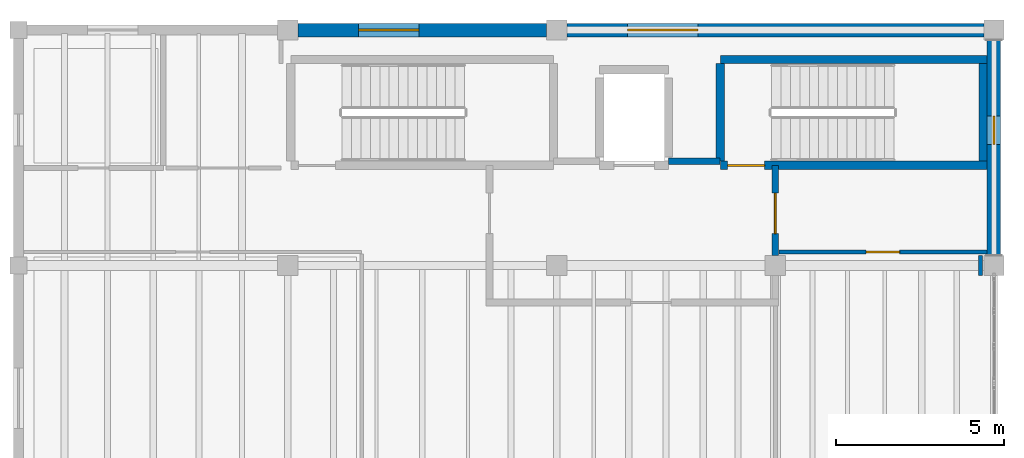
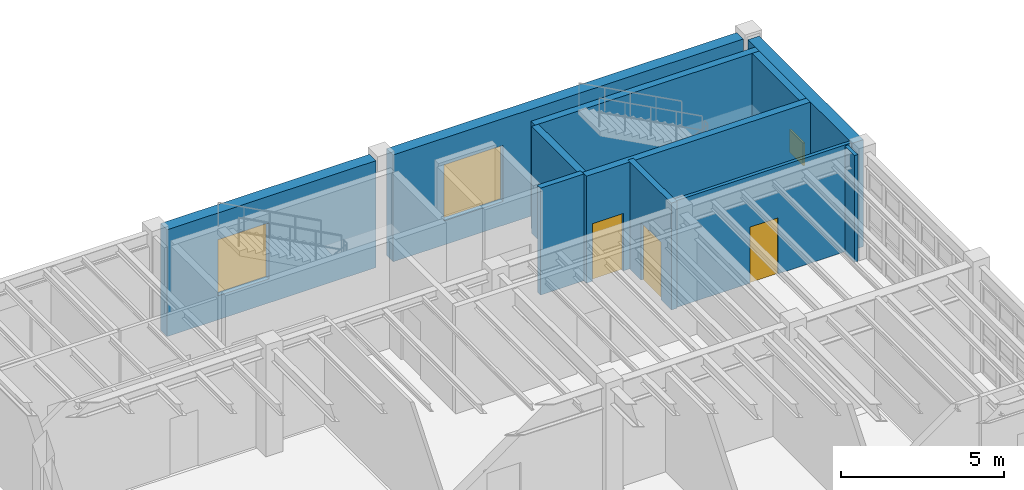
# One storey, part 69 of 78: 11 walls, 3 doors, 3 windows, 6 openings.
"""IFC4 building model written with IfcOpenShell, lengths in metres."""

from ifc_helpers import new_model, si_unit, direction, frame, frame_2d, origin, place, context, subcontext, project, spatial, rectangle, extrude, material, layer, layer_set, type_object, element, fill, save


model = new_model("IFC4")

# Units and contexts
model_context = context("Model", 3, precision=1e-05, world=origin(), true_north=direction((0.0, 1.0)))
body_context = subcontext(model_context, "Body", "Model", "MODEL_VIEW")
ifc_project = project(units=[si_unit("LENGTHUNIT", "METRE"), si_unit("AREAUNIT", "SQUARE_METRE"), si_unit("VOLUMEUNIT", "CUBIC_METRE"), si_unit("PLANEANGLEUNIT", "RADIAN"), si_unit("MASSUNIT", "GRAM", prefix="KILO"), si_unit("THERMODYNAMICTEMPERATUREUNIT", "KELVIN"), si_unit("POWERUNIT", "WATT")], contexts=[model_context])

# Site, building, storey
site_placement = place(None, origin())
site = spatial("IfcSite", under=ifc_project, at=site_placement, CompositionType="ELEMENT")
building_placement = place(site_placement, origin())
building = spatial("IfcBuilding", under=site, at=building_placement, Name="Zhenchuan Central Fire Station", CompositionType="ELEMENT")
storey_placement = place(building_placement, frame((0.0, 0.0, 5.85009765625)))
storey = spatial("IfcBuildingStorey", under=building, at=storey_placement, Name="L02", CompositionType="ELEMENT", Elevation=5.85009765625)

# Wall, opening, window
ifc_material_1 = material(Name="Concrete C40/50", Category="concrete")
ifc_layer_1 = layer(ifc_material_1, 0.39990234375, Name="Concrete C40/50", Category="concrete")
ifc_layer_set_1 = layer_set([ifc_layer_1], Name="Concrete C40/50")
wall_type_1 = type_object("IfcWallType", Name="EW-RC400", PredefinedType="SHEAR", material=ifc_layer_set_1)
wall_1_placement = place(storey_placement, frame((140.300048828125, 56.5, 0.0), z_axis=(0.0, 0.0, 1.0), x_axis=(1.0, 0.0, 0.0)))
wall_1 = element("IfcWall", 1, at=wall_1_placement, inside=storey, type_object=wall_type_1, Name="EW-L02-V6N-1", PredefinedType="SHEAR", context=body_context, shape_type="SweptSolid", body=[
    extrude(rectangle(XDim=7.39990234375, YDim=0.39990234375, at=frame_2d((3.699951171875, 0.0))), origin(), (0.0, 0.0, 1.0), 4.0),
])
opening_1_placement = place(wall_1_placement, frame((1.800048828125, 0.0, 0.89990234375)))
opening_1 = element("IfcOpeningElement", 2, at=opening_1_placement, cuts=wall_1, Name="Opening W-35", PredefinedType="OPENING", context=body_context, shape_type="SweptSolid", body=[
    extrude(rectangle(XDim=1.800048828125, YDim=2.10009765625, at=frame_2d((0.89990234375, 1.050048828125))), frame((0.0, 0.2099609375, 0.0), z_axis=(0.0, -1.0, 0.0), x_axis=(1.0, 0.0, 0.0)), (0.0, 0.0, 1.0), 0.419921875),
])
ifc_material_2 = material(Name="Laminated low-E double glazing in aluminium frame", Category="aluminium")
window_type_1 = type_object("IfcWindowType", Name="WN-35", PartitioningType="SINGLE_PANEL", PredefinedType="WINDOW", material=ifc_material_2)
window_1_placement = place(opening_1_placement, origin())
window_1 = element("IfcWindow", 3, at=window_1_placement, inside=storey, type_object=window_type_1, Name="Exterior Window 0107", OverallHeight=2.10009765625, OverallWidth=1.800048828125, PartitioningType="SINGLE_PANEL", PredefinedType="WINDOW", context=body_context, shape_type="SweptSolid", body=[
    extrude(rectangle(XDim=1.800048828125, YDim=2.10009765625, at=frame_2d((0.89990234375, 1.050048828125))), frame((0.0, 0.030029296875, 0.0), z_axis=(0.0, -1.0, 0.0), x_axis=(1.0, 0.0, 0.0)), (0.0, 0.0, 1.0), 0.06005859375),
])
fill(opening_1, window_1)

wall_2_placement = place(storey_placement, frame((148.300048828125, 56.5, 0.0), z_axis=(0.0, 0.0, 1.0), x_axis=(1.0, 0.0, 0.0)))
wall_2 = element("IfcWall", 4, at=wall_2_placement, inside=storey, type_object=wall_type_1, Name="EW-L02-V6N-2", PredefinedType="SHEAR", context=body_context, shape_type="SweptSolid", body=[
    extrude(rectangle(XDim=12.39990234375, YDim=0.39990234375, at=frame_2d((6.199951171875, 0.0))), origin(), (0.0, 0.0, 1.0), 4.0),
])
opening_2_placement = place(wall_2_placement, frame((1.800048828125, 0.0, 0.89990234375)))
opening_2 = element("IfcOpeningElement", 5, at=opening_2_placement, cuts=wall_2, Name="Opening W-36", PredefinedType="OPENING", context=body_context, shape_type="SweptSolid", body=[
    extrude(rectangle(XDim=2.10009765625, YDim=2.10009765625, at=frame_2d((1.050048828125, 1.050048828125))), frame((0.0, 0.2099609375, 0.0), z_axis=(0.0, -1.0, 0.0), x_axis=(1.0, 0.0, 0.0)), (0.0, 0.0, 1.0), 0.419921875),
])
window_type_2 = type_object("IfcWindowType", Name="WN-36", PartitioningType="SINGLE_PANEL", PredefinedType="WINDOW", material=ifc_material_2)
window_2_placement = place(opening_2_placement, origin())
window_2 = element("IfcWindow", 6, at=window_2_placement, inside=storey, type_object=window_type_2, Name="Exterior Window 0108", OverallHeight=2.10009765625, OverallWidth=2.10009765625, PartitioningType="SINGLE_PANEL", PredefinedType="WINDOW", context=body_context, shape_type="SweptSolid", body=[
    extrude(rectangle(XDim=2.10009765625, YDim=2.10009765625, at=frame_2d((1.050048828125, 1.050048828125))), frame((0.0, 0.030029296875, 0.0), z_axis=(0.0, -1.0, 0.0), x_axis=(1.0, 0.0, 0.0)), (0.0, 0.0, 1.0), 0.06005859375),
])
fill(opening_2, window_2)

wall_3_placement = place(storey_placement, frame((161.0, 49.800048828125, 0.0), z_axis=(0.0, 0.0, 1.0), x_axis=(0.0, 1.0, 0.0)))
wall_3 = element("IfcWall", 7, at=wall_3_placement, inside=storey, type_object=wall_type_1, Name="EW-L02-V6E-1", PredefinedType="SHEAR", context=body_context, shape_type="SweptSolid", body=[
    extrude(rectangle(XDim=6.39990234375, YDim=0.39990234375, at=frame_2d((3.199951171875, 0.0))), origin(), (0.0, 0.0, 1.0), 4.0),
])
opening_3_placement = place(wall_3_placement, frame((3.300048828125, 0.0, 1.10009765625)))
opening_3 = element("IfcOpeningElement", 8, at=opening_3_placement, cuts=wall_3, Name="Opening W-03", PredefinedType="OPENING", context=body_context, shape_type="SweptSolid", body=[
    extrude(rectangle(XDim=0.85009765625, YDim=0.85009765625, at=frame_2d((0.425048828125, 0.425048828125))), frame((0.0, 0.2099609375, 0.0), z_axis=(0.0, -1.0, 0.0), x_axis=(1.0, 0.0, 0.0)), (0.0, 0.0, 1.0), 0.419921875),
])
window_type_3 = type_object("IfcWindowType", Name="WN-03", PartitioningType="SINGLE_PANEL", PredefinedType="WINDOW", material=ifc_material_2)
window_3_placement = place(opening_3_placement, origin())
window_3 = element("IfcWindow", 9, at=window_3_placement, inside=storey, type_object=window_type_3, Name="Exterior Window 0109", OverallHeight=0.85009765625, OverallWidth=0.85009765625, PartitioningType="SINGLE_PANEL", PredefinedType="WINDOW", context=body_context, shape_type="SweptSolid", body=[
    extrude(rectangle(XDim=0.85009765625, YDim=0.85009765625, at=frame_2d((0.425048828125, 0.425048828125))), frame((0.0, 0.030029296875, 0.0), z_axis=(0.0, -1.0, 0.0), x_axis=(1.0, 0.0, 0.0)), (0.0, 0.0, 1.0), 0.06005859375),
])
fill(opening_3, window_3)

# Wall
ifc_material_3 = material(Name="Autoclaved aerated concrete blockwork", Category="masonry")
ifc_layer_2 = layer(ifc_material_3, 0.199951171875, Name="Autoclaved aerated concrete blockwork", Category="masonry")
ifc_layer_set_2 = layer_set([ifc_layer_2], Name="Autoclaved aerated concrete blockwork")
wall_type_2 = type_object("IfcWallType", Name="IW-FIR200", PredefinedType="PARTITIONING", material=ifc_layer_set_2)
wall_4_placement = place(storey_placement, frame((151.3291015625, 52.60009765625, 0.0), z_axis=(0.0, 0.0, 1.0), x_axis=(1.0, 0.0, 0.0)))
element("IfcWall", 10, at=wall_4_placement, inside=storey, type_object=wall_type_2, Name="L02 Firefighting Lobby North-East Infill Wall", PredefinedType="PARTITIONING", context=body_context, shape_type="SweptSolid", body=[
    extrude(rectangle(XDim=1.531982421875, YDim=0.199951171875, at=frame_2d((0.76611328125, 0.0))), origin(), (0.0, 0.0, 1.0), 4.0),
])

# Wall, opening, door
wall_5_placement = place(storey_placement, frame((154.5, 49.803955078125, 0.0), z_axis=(0.0, 0.0, 1.0), x_axis=(0.0, 1.0, 0.0)))
wall_5 = element("IfcWall", 11, at=wall_5_placement, inside=storey, type_object=wall_type_2, Name="L02 Firefighting Lift Lobby East Wall", PredefinedType="PARTITIONING", context=body_context, shape_type="SweptSolid", body=[
    extrude(rectangle(XDim=2.6669921875, YDim=0.199951171875, at=frame_2d((1.33349609375, 0.0))), origin(), (0.0, 0.0, 1.0), 4.0),
])
opening_4_placement = place(wall_5_placement, frame((0.64599609375, 0.0, 0.0)))
opening_4 = element("IfcOpeningElement", 12, at=opening_4_placement, cuts=wall_5, Name="Opening D-053", PredefinedType="OPENING", context=body_context, shape_type="SweptSolid", body=[
    extrude(rectangle(XDim=1.199951171875, YDim=2.14990234375, at=frame_2d((0.60009765625, 1.074951171875))), frame((0.0, 0.10986328125, 0.0), z_axis=(0.0, -1.0, 0.0), x_axis=(1.0, 0.0, 0.0)), (0.0, 0.0, 1.0), 0.219970703125),
])
ifc_material_4 = material(Name="Smoke-sealed steel fire lobby door", Category="steel")
door_type_1 = type_object("IfcDoorType", Name="ID-FFL-120x215", OperationType="NOTDEFINED", PredefinedType="DOOR", material=ifc_material_4)
door_1_placement = place(opening_4_placement, origin())
door_1 = element("IfcDoor", 13, at=door_1_placement, inside=storey, type_object=door_type_1, Name="L02 Firefighting Lift Lobby East Door", OperationType="SINGLE_SWING_LEFT", OverallHeight=2.14990234375, OverallWidth=1.199951171875, PredefinedType="DOOR", context=body_context, shape_type="SweptSolid", body=[
    extrude(rectangle(XDim=1.199951171875, YDim=2.14990234375, at=frame_2d((0.60009765625, 1.074951171875))), frame((0.0, 0.02490234375, 0.0), z_axis=(0.0, -1.0, 0.0), x_axis=(1.0, 0.0, 0.0)), (0.0, 0.0, 1.0), 0.050048828125),
])
fill(opening_4, door_1)

ifc_material_5 = material(Name="Gypsum plasterboard on steel studs", Category="gypsum")
ifc_layer_3 = layer(ifc_material_5, 0.1201171875, Name="Gypsum plasterboard on steel studs", Category="gypsum")
ifc_layer_set_3 = layer_set([ifc_layer_3], Name="Gypsum plasterboard on steel studs")
wall_type_3 = type_object("IfcWallType", Name="IW-GYP120", PredefinedType="PARTITIONING", material=ifc_layer_set_3)
wall_6_placement = place(storey_placement, frame((154.60302734375, 49.89990234375, 0.0), z_axis=(0.0, 0.0, 1.0), x_axis=(1.0, 0.0, 0.0)))
wall_6 = element("IfcWall", 14, at=wall_6_placement, inside=storey, type_object=wall_type_3, Name="Window Ladder Bailout Chamber N Partition", PredefinedType="PARTITIONING", context=body_context, shape_type="SweptSolid", body=[
    extrude(rectangle(XDim=6.194091796875, YDim=0.1201171875, at=frame_2d((3.09716796875, 0.0))), origin(), (0.0, 0.0, 1.0), 4.0),
])
opening_5_placement = place(wall_6_placement, frame((2.596923828125, 0.0, 0.0)))
opening_5 = element("IfcOpeningElement", 15, at=opening_5_placement, cuts=wall_6, Name="Opening D-150", PredefinedType="OPENING", context=body_context, shape_type="SweptSolid", body=[
    extrude(rectangle(XDim=1.0, YDim=2.10009765625, at=frame_2d((0.5, 1.050048828125))), frame((0.0, 0.070068359375, 0.0), z_axis=(0.0, -1.0, 0.0), x_axis=(1.0, 0.0, 0.0)), (0.0, 0.0, 1.0), 0.14013671875),
])
ifc_material_6 = material(Name="Solid-core timber office door", Category="wood")
door_type_2 = type_object("IfcDoorType", Name="ID-OFF-100x210", OperationType="NOTDEFINED", PredefinedType="DOOR", material=ifc_material_6)
door_2_placement = place(opening_5_placement, origin())
door_2 = element("IfcDoor", 16, at=door_2_placement, inside=storey, type_object=door_type_2, Name="Window Ladder Bailout Chamber Door", OperationType="SINGLE_SWING_RIGHT", OverallHeight=2.10009765625, OverallWidth=1.0, PredefinedType="DOOR", context=body_context, shape_type="SweptSolid", body=[
    extrude(rectangle(XDim=1.0, YDim=2.10009765625, at=frame_2d((0.5, 1.050048828125))), frame((0.0, 0.02490234375, 0.0), z_axis=(0.0, -1.0, 0.0), x_axis=(1.0, 0.0, 0.0)), (0.0, 0.0, 1.0), 0.050048828125),
])
fill(opening_5, door_2)

# Wall
wall_7_placement = place(storey_placement, frame((160.60009765625, 49.202880859375, 0.0), z_axis=(0.0, 0.0, 1.0), x_axis=(0.0, 1.0, 0.0)))
element("IfcWall", 17, at=wall_7_placement, inside=storey, type_object=wall_type_3, Name="Window Ladder Bailout Chamber E Partition", PredefinedType="PARTITIONING", context=body_context, shape_type="SweptSolid", body=[
    extrude(rectangle(XDim=0.59423828125, YDim=0.1201171875, at=frame_2d((0.297119140625, 0.0))), origin(), (0.0, 0.0, 1.0), 4.0),
])

# Wall, opening, door
ifc_layer_4 = layer(ifc_material_1, 0.25, Name="Concrete C40/50", Category="concrete")
ifc_layer_set_4 = layer_set([ifc_layer_4], Name="Concrete C40/50")
wall_type_4 = type_object("IfcWallType", Name="IW-SHR250", PredefinedType="SHEAR", material=ifc_layer_set_4)
wall_8_placement = place(storey_placement, frame((152.864990234375, 52.47509765625, 0.0), z_axis=(0.0, 0.0, 1.0), x_axis=(1.0, 0.0, 0.0)))
wall_8 = element("IfcWall", 18, at=wall_8_placement, inside=storey, type_object=wall_type_4, Name="ST-13 L02 South Core Wall", PredefinedType="SHEAR", context=body_context, shape_type="SweptSolid", body=[
    extrude(rectangle(XDim=7.93505859375, YDim=0.25, at=frame_2d((3.967529296875, 0.0))), origin(), (0.0, 0.0, 1.0), 4.0),
])
opening_6_placement = place(wall_8_placement, frame((0.219970703125, 0.0, 0.0)))
opening_6 = element("IfcOpeningElement", 19, at=opening_6_placement, cuts=wall_8, Name="Opening D-037", PredefinedType="OPENING", context=body_context, shape_type="SweptSolid", body=[
    extrude(rectangle(XDim=1.10009765625, YDim=2.14990234375, at=frame_2d((0.550048828125, 1.074951171875))), frame((0.0, 0.135009765625, 0.0), z_axis=(0.0, -1.0, 0.0), x_axis=(1.0, 0.0, 0.0)), (0.0, 0.0, 1.0), 0.27001953125),
])
ifc_material_7 = material(Name="Painted steel acoustic fire door", Category="steel")
door_type_3 = type_object("IfcDoorType", Name="ID-ST-110x215", OperationType="NOTDEFINED", PredefinedType="DOOR", material=ifc_material_7)
door_3_placement = place(opening_6_placement, frame((1.10009765625, 0.0, 0.0), z_axis=(0.0, 0.0, 1.0), x_axis=(-1.0, 0.0, 0.0)))
door_3 = element("IfcDoor", 20, at=door_3_placement, inside=storey, type_object=door_type_3, Name="ST-13 L02 Fire Door", OperationType="SINGLE_SWING_LEFT", OverallHeight=2.14990234375, OverallWidth=1.10009765625, PredefinedType="DOOR", context=body_context, shape_type="SweptSolid", body=[
    extrude(rectangle(XDim=1.10009765625, YDim=2.14990234375, at=frame_2d((0.550048828125, 1.074951171875))), frame((0.0, 0.02490234375, 0.0), z_axis=(0.0, -1.0, 0.0), x_axis=(1.0, 0.0, 0.0)), (0.0, 0.0, 1.0), 0.050048828125),
])
fill(opening_6, door_3)

# Walls
wall_9_placement = place(storey_placement, frame((152.864990234375, 55.625, 0.0), z_axis=(0.0, 0.0, 1.0), x_axis=(1.0, 0.0, 0.0)))
element("IfcWall", 21, at=wall_9_placement, inside=storey, type_object=wall_type_4, Name="ST-13 L02 North Core Wall", PredefinedType="SHEAR", context=body_context, shape_type="SweptSolid", body=[
    extrude(rectangle(XDim=7.93505859375, YDim=0.25, at=frame_2d((3.967529296875, 0.0))), origin(), (0.0, 0.0, 1.0), 4.0),
])
for number, where, z_axis, x_axis, name in (
    (22, (152.864990234375, 52.60009765625, 0.0), (0.0, 0.0, 1.0), (0.0, 1.0, 0.0), "ST-13 L02 West Core Wall"),
    (23, (160.675048828125, 52.60009765625, 0.0), (0.0, 0.0, 1.0), (0.0, 1.0, 0.0), "ST-13 L02 East Core Wall"),
):
    element("IfcWall", number, at=place(storey_placement, frame(where, z_axis=z_axis, x_axis=x_axis)), inside=storey, type_object=wall_type_4, Name=name, PredefinedType="SHEAR", context=body_context, shape_type="SweptSolid", body=[
        extrude(rectangle(XDim=2.89990234375, YDim=0.25, at=frame_2d((1.449951171875, 0.0))), origin(), (0.0, 0.0, 1.0), 4.0),
    ])

save(model, "model.ifc")
